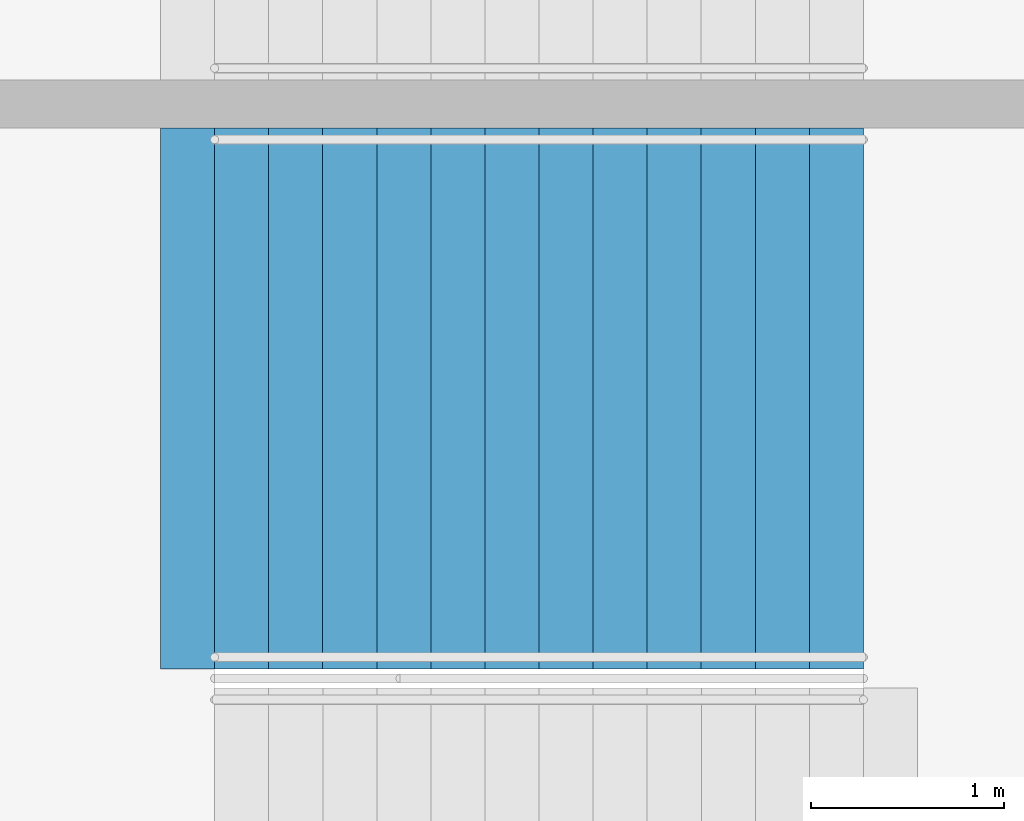
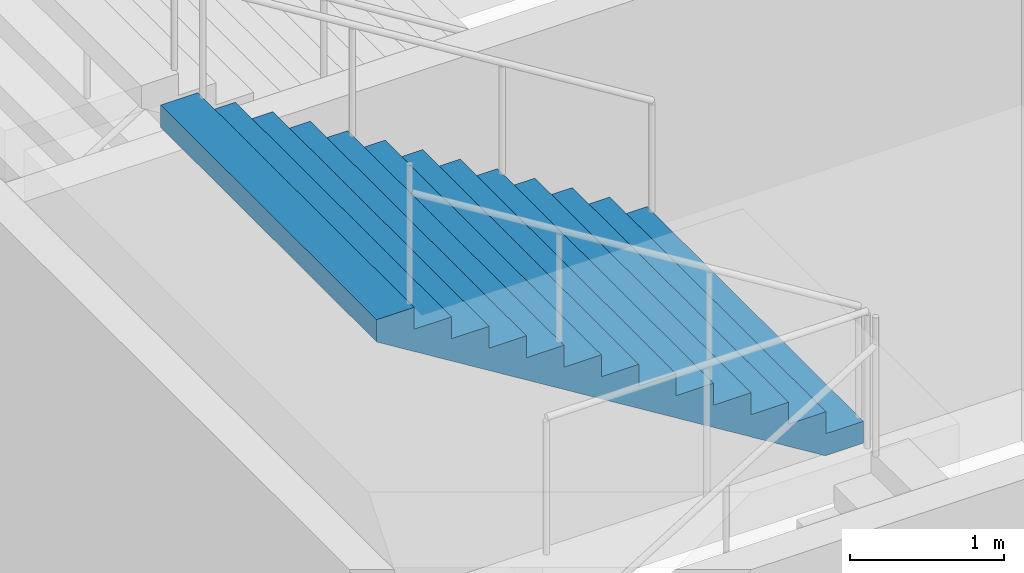
# One storey, part 100 of 175: 1 stair flight, 1 element without a shape of its own.
"""IFC4 building model written with IfcOpenShell, lengths in metres."""

import ifcopenshell
import ifcopenshell.guid

model = None  # the IFC model being written
_history = None  # IfcOwnerHistory: only IFC2X3 demands one
_inside = {}  # id of a spatial element -> (the spatial element, [elements in it])
_under = {}  # id of a project, library or spatial element -> (it, [spatial elements below it])
_declared = {}  # id of a project -> (the project, [libraries it declares])
_typed = {}  # id of a type object -> (the type object, [elements of that type])
_made_of = {}  # id of a material, layer set ... -> (it, [elements and type objects made of it])


def new_model(schema):
    """Start an empty IFC model of exactly this schema.

    Asked for "IFC4X3", IfcOpenShell would pick the latest addendum, in which some entities
    have other attributes; the version numbers below select the first issue.
    IFC2X3 requires an IfcOwnerHistory on every rooted entity: one is made here for all.
    """
    global model, _history
    if schema == "IFC4X3":
        model = ifcopenshell.file(schema_version=(4, 3, 0, 0))
    else:
        model = ifcopenshell.file(schema=schema)
    _inside.clear()
    _under.clear()
    _declared.clear()
    _typed.clear()
    _made_of.clear()
    _history = None
    if model.schema == "IFC2X3":
        org = make("IfcOrganization", Name="unknown")
        user = make(
            "IfcPersonAndOrganization",
            ThePerson=make("IfcPerson", FamilyName="unknown"),
            TheOrganization=org,
        )
        app = make(
            "IfcApplication",
            ApplicationDeveloper=org,
            Version="unknown",
            ApplicationFullName="unknown",
            ApplicationIdentifier="unknown",
        )
        _history = make(
            "IfcOwnerHistory",
            OwningUser=user,
            OwningApplication=app,
            ChangeAction="ADDED",
            CreationDate=0,
        )
    return model


def make(cls, **values):
    """One entity of the class cls with the attributes given. An attribute that is None is left unset."""
    return model.create_entity(
        cls, **{name: value for name, value in values.items() if value is not None}
    )


def rooted(cls, **values):
    """An entity with a GlobalId (a new one), such as an element, a storey or a relation."""
    return make(cls, GlobalId=ifcopenshell.guid.new(), OwnerHistory=_history, **values)


def si_unit(unit_type, name, prefix=None):
    """IfcSIUnit, for example si_unit("LENGTHUNIT", "METRE", prefix="MILLI")."""
    return make("IfcSIUnit", UnitType=unit_type, Prefix=prefix, Name=name)


def assignment(units):
    """IfcUnitAssignment: the units of a project."""
    return None if units is None else make("IfcUnitAssignment", Units=units)


def point(xyz):
    """IfcCartesianPoint."""
    return None if xyz is None else make("IfcCartesianPoint", Coordinates=xyz)


def direction(xyz):
    """IfcDirection."""
    return None if xyz is None else make("IfcDirection", DirectionRatios=xyz)


def frame(location, z_axis=None, x_axis=None):
    """IfcAxis2Placement3D, a coordinate frame: its origin and axes. An axis left out is left unset."""
    return make(
        "IfcAxis2Placement3D",
        Location=point(location),
        Axis=direction(z_axis),
        RefDirection=direction(x_axis),
    )


def origin():
    """The frame at (0, 0, 0) with its axes left unset."""
    return frame((0.0, 0.0, 0.0))


def place(relative_to, where):
    """IfcLocalPlacement: puts the frame where relative to a parent placement (None: the world)."""
    return make(
        "IfcLocalPlacement", PlacementRelTo=relative_to, RelativePlacement=where
    )


def context(
    kind, dimensions, precision=None, world=None, true_north=None, identifier=None
):
    """IfcGeometricRepresentationContext, for example the 3D "Model" context."""
    return make(
        "IfcGeometricRepresentationContext",
        ContextIdentifier=identifier,
        ContextType=kind,
        CoordinateSpaceDimension=dimensions,
        Precision=precision,
        WorldCoordinateSystem=world,
        TrueNorth=true_north,
    )


def subcontext(parent, identifier, kind, view, scale=None):
    """IfcGeometricRepresentationSubContext, for example "Body" below "Model"."""
    return make(
        "IfcGeometricRepresentationSubContext",
        ContextIdentifier=identifier,
        ContextType=kind,
        ParentContext=parent,
        TargetScale=scale,
        TargetView=view,
    )


def project(units=None, contexts=None):
    """IfcProject with its units and contexts."""
    return rooted(
        "IfcProject",
        Name="project",
        RepresentationContexts=contexts,
        UnitsInContext=assignment(units),
    )


def spatial(cls, under=None, at=None, **own):
    """A site, building, storey or space (cls), placed at a placement, below another one or the project."""
    s = rooted(cls, ObjectPlacement=at, **own)
    if under is not None:
        _under.setdefault(under.id(), (under, []))[1].append(s)
    return s


def faces_of(points, faces, orient=None, outer=None):
    """IfcFace entities. A face is a list of loops; a loop is a list of indices into points, from 0.

    orient and outer hold one flag for each loop. By default every Orientation is true, the
    first loop of a face is its IfcFaceOuterBound and the others are IfcFaceBound.
    """
    made = []
    for i, loops in enumerate(faces):
        bounds = []
        for j, loop in enumerate(loops):
            is_outer = j == 0 if outer is None else outer[i][j]
            bounds.append(
                make(
                    "IfcFaceOuterBound" if is_outer else "IfcFaceBound",
                    Bound=make("IfcPolyLoop", Polygon=[points[k] for k in loop]),
                    Orientation=True if orient is None else orient[i][j],
                )
            )
        made.append(make("IfcFace", Bounds=bounds))
    return made


def faceted_brep(points, faces, orient=None, outer=None, voids=None):
    """IfcFacetedBrep: a solid bounded by flat faces; with voids (closed shells), ...WithVoids."""
    shared = [point(p) for p in points]
    hull = make("IfcClosedShell", CfsFaces=faces_of(shared, faces, orient, outer))
    if voids is None:
        return make("IfcFacetedBrep", Outer=hull)
    return make(
        "IfcFacetedBrepWithVoids",
        Outer=hull,
        Voids=[
            make(cls, CfsFaces=faces_of(shared, fs, o, b)) for cls, fs, o, b in voids
        ],
    )


def shape(context_of_items, identifier, shape_type, items):
    """IfcShapeRepresentation: the items that make up one representation, for example the "Body"."""
    return make(
        "IfcShapeRepresentation",
        ContextOfItems=context_of_items,
        RepresentationIdentifier=identifier,
        RepresentationType=shape_type,
        Items=items,
    )


def material(Name=None, Category=None):
    """IfcMaterial."""
    return make("IfcMaterial", Name=Name, Category=Category)


def made_of(thing, what):
    """Note that an element or type object is made of a material, layer set ...; save() writes the relation."""
    if what is not None:
        _made_of.setdefault(what.id(), (what, []))[1].append(thing)
    return thing


def type_object(cls, material=None, **own):
    """A type object (cls), such as IfcWallType, which elements share."""
    return made_of(rooted(cls, **own), material)


def element(
    cls,
    number,
    at=None,
    inside=None,
    cuts=None,
    type_object=None,
    material=None,
    context=None,
    identifier="Body",
    shape_type=None,
    held_by="IfcProductDefinitionShape",
    body=None,
    shapes=None,
    **own,
):
    """One element of the class cls, such as IfcWall. Its Tag is "e" and its number.

    at: its placement. inside: the storey or other place that contains it. cuts: it is an
    opening in that element (IfcRelVoidsElement). A single representation is given by context,
    identifier, shape_type and body (its items); several are given by shapes. held_by: the class
    of the entity that holds the representations. save() writes the other relations.
    """
    e = rooted(cls, Tag="e%d" % number, ObjectPlacement=at, **own)
    if body is not None:
        shapes = [shape(context, identifier, shape_type, body)]
    if shapes is not None:
        e.Representation = make(held_by, Representations=shapes)
    if inside is not None:
        _inside.setdefault(inside.id(), (inside, []))[1].append(e)
    if cuts is not None:
        rooted(
            "IfcRelVoidsElement", RelatingBuildingElement=cuts, RelatedOpeningElement=e
        )
    if type_object is not None:
        _typed.setdefault(type_object.id(), (type_object, []))[1].append(e)
    return made_of(e, material)


def aggregate(whole, parts):
    """IfcRelAggregates: a whole, such as a stair, and the parts it consists of."""
    return rooted("IfcRelAggregates", RelatingObject=whole, RelatedObjects=parts)


def save(model, path):
    """Write the relations noted so far, then the file.

    IfcRelAggregates (storeys below a building ...), IfcRelContainedInSpatialStructure (elements
    in a storey), IfcRelDefinesByType, IfcRelAssociatesMaterial and IfcRelDeclares: one each for
    every whole, place, type object, material and project.
    """
    for whole, parts in _under.values():
        aggregate(whole, parts)
    for where, things in _inside.values():
        rooted(
            "IfcRelContainedInSpatialStructure",
            RelatedElements=things,
            RelatingStructure=where,
        )
    for kind, things in _typed.values():
        rooted("IfcRelDefinesByType", RelatedObjects=things, RelatingType=kind)
    for what, things in _made_of.values():
        rooted("IfcRelAssociatesMaterial", RelatedObjects=things, RelatingMaterial=what)
    for by, libraries in _declared.values():
        rooted("IfcRelDeclares", RelatingContext=by, RelatedDefinitions=libraries)
    model.write(path)


model = new_model("IFC4")

# Units and contexts
model_context = context("Model", 3, precision=1e-05, world=origin(), true_north=direction((0.0, 1.0)))
body_context = subcontext(model_context, "Body", "Model", "MODEL_VIEW")
ifc_project = project(units=[si_unit("LENGTHUNIT", "METRE"), si_unit("AREAUNIT", "SQUARE_METRE"), si_unit("VOLUMEUNIT", "CUBIC_METRE"), si_unit("PLANEANGLEUNIT", "RADIAN"), si_unit("MASSUNIT", "GRAM", prefix="KILO")], contexts=[model_context])

# Site, building, storey
site_placement = place(None, origin())
site = spatial("IfcSite", under=ifc_project, at=site_placement, CompositionType="ELEMENT")
building_placement = place(site_placement, origin())
building = spatial("IfcBuilding", under=site, at=building_placement, Name="Ogive Plaza Stadium", CompositionType="ELEMENT")
storey_placement = place(building_placement, origin())
storey = spatial("IfcBuildingStorey", under=building, at=storey_placement, Name="L00", CompositionType="ELEMENT", Elevation=0.0)

# Stair, stair flight
ifc_material_1 = material(Name="Concrete C40/50", Category="concrete")
stair_type = type_object("IfcStairType", Name="Exit stair", PredefinedType="STRAIGHT_RUN_STAIR", material=ifc_material_1)
stair_placement = place(storey_placement, origin())
stair = element("IfcStair", 1, at=stair_placement, inside=storey, type_object=stair_type, Name="Exit stair ST06A L00 to L01", PredefinedType="STRAIGHT_RUN_STAIR")
ifc_material_2 = material(Name="Concrete C40/50", Category="concrete")
stair_flight_type = type_object("IfcStairFlightType", Name="Exit stair flight", PredefinedType="STRAIGHT", material=ifc_material_2)
stair_flight_placement = place(storey_placement, frame((79.7099609375, -24.02490234375, 2.25), z_axis=(0.0, 0.0, 1.0), x_axis=(-1.0, 0.0, 0.0)))
stair_flight = element("IfcStairFlight", 2, at=stair_flight_placement, type_object=stair_flight_type, Name="ST06A flight 2", NumberOfRisers=13, NumberOfTreads=12, PredefinedType="STRAIGHT", RiserHeight=0.173076923, TreadLength=0.28, context=body_context, shape_type="Brep", body=[
    faceted_brep([(0.28515625, -1.39990234375, 0.0), (3.639892578125, -1.39990234375, 2.07373046875), (3.639892578125, -1.39990234375, 2.25), (3.360107421875, -1.39990234375, 2.25), (3.360107421875, -1.39990234375, 2.076904296875), (3.080078125, -1.39990234375, 2.076904296875), (3.080078125, -1.39990234375, 1.90380859375), (2.800048828125, -1.39990234375, 1.90380859375), (2.800048828125, -1.39990234375, 1.730712890625), (2.52001953125, -1.39990234375, 1.730712890625), (2.52001953125, -1.39990234375, 1.5576171875), (2.239990234375, -1.39990234375, 1.5576171875), (2.239990234375, -1.39990234375, 1.384521484375), (1.9599609375, -1.39990234375, 1.384521484375), (1.9599609375, -1.39990234375, 1.21142578125), (1.679931640625, -1.39990234375, 1.21142578125), (1.679931640625, -1.39990234375, 1.03857421875), (1.39990234375, -1.39990234375, 1.03857421875), (1.39990234375, -1.39990234375, 0.865478515625), (1.1201171875, -1.39990234375, 0.865478515625), (1.1201171875, -1.39990234375, 0.6923828125), (0.840087890625, -1.39990234375, 0.6923828125), (0.840087890625, -1.39990234375, 0.519287109375), (0.56005859375, -1.39990234375, 0.519287109375), (0.56005859375, -1.39990234375, 0.34619140625), (0.280029296875, -1.39990234375, 0.34619140625), (0.280029296875, -1.39990234375, 0.173095703125), (0.0, -1.39990234375, 0.173095703125), (0.0, -1.39990234375, 0.0), (0.0, 1.39990234375, 0.0), (0.0, 1.39990234375, 0.173095703125), (0.280029296875, 1.39990234375, 0.173095703125), (0.280029296875, 1.39990234375, 0.34619140625), (0.56005859375, 1.39990234375, 0.34619140625), (0.56005859375, 1.39990234375, 0.519287109375), (0.840087890625, 1.39990234375, 0.519287109375), (0.840087890625, 1.39990234375, 0.6923828125), (1.1201171875, 1.39990234375, 0.6923828125), (1.1201171875, 1.39990234375, 0.865478515625), (1.39990234375, 1.39990234375, 0.865478515625), (1.39990234375, 1.39990234375, 1.03857421875), (1.679931640625, 1.39990234375, 1.03857421875), (1.679931640625, 1.39990234375, 1.21142578125), (1.9599609375, 1.39990234375, 1.21142578125), (1.9599609375, 1.39990234375, 1.384521484375), (2.239990234375, 1.39990234375, 1.384521484375), (2.239990234375, 1.39990234375, 1.5576171875), (2.52001953125, 1.39990234375, 1.5576171875), (2.52001953125, 1.39990234375, 1.730712890625), (2.800048828125, 1.39990234375, 1.730712890625), (2.800048828125, 1.39990234375, 1.90380859375), (3.080078125, 1.39990234375, 1.90380859375), (3.080078125, 1.39990234375, 2.076904296875), (3.360107421875, 1.39990234375, 2.076904296875), (3.360107421875, 1.39990234375, 2.25), (3.639892578125, 1.39990234375, 2.25), (3.639892578125, 1.39990234375, 2.07373046875), (0.28515625, 1.39990234375, 0.0), (0.28515625, -1.0888671875, 0.0), (3.639892578125, -1.0888671875, 2.07373046875), (0.28515625, -0.77783203125, 0.0), (3.639892578125, -0.77783203125, 2.07373046875), (0.28515625, -0.466796875, 0.0), (3.639892578125, -0.466796875, 2.07373046875), (0.28515625, -0.155517578125, 0.0), (3.639892578125, -0.155517578125, 2.07373046875), (0.28515625, 0.155517578125, 0.0), (3.639892578125, 0.155517578125, 2.07373046875), (0.28515625, 0.466796875, 0.0), (3.639892578125, 0.466796875, 2.07373046875), (0.28515625, 0.77783203125, 0.0), (3.639892578125, 0.77783203125, 2.07373046875), (0.28515625, 1.0888671875, 0.0), (3.639892578125, 1.0888671875, 2.07373046875), (3.639892578125, -1.0888671875, 2.25), (3.639892578125, -0.77783203125, 2.25), (3.639892578125, -0.466796875, 2.25), (3.639892578125, -0.155517578125, 2.25), (3.639892578125, 0.155517578125, 2.25), (3.639892578125, 0.466796875, 2.25), (3.639892578125, 0.77783203125, 2.25), (3.639892578125, 1.0888671875, 2.25), (3.360107421875, -1.0888671875, 2.25), (3.360107421875, -0.77783203125, 2.25), (3.360107421875, -0.466796875, 2.25), (3.360107421875, -0.155517578125, 2.25), (3.360107421875, 0.155517578125, 2.25), (3.360107421875, 0.466796875, 2.25), (3.360107421875, 0.77783203125, 2.25), (3.360107421875, 1.0888671875, 2.25), (3.360107421875, -1.0888671875, 2.076904296875), (3.360107421875, -0.77783203125, 2.076904296875), (3.360107421875, -0.466796875, 2.076904296875), (3.360107421875, -0.155517578125, 2.076904296875), (3.360107421875, 0.155517578125, 2.076904296875), (3.360107421875, 0.466796875, 2.076904296875), (3.360107421875, 0.77783203125, 2.076904296875), (3.360107421875, 1.0888671875, 2.076904296875), (3.080078125, -1.0888671875, 2.076904296875), (3.080078125, -0.77783203125, 2.076904296875), (3.080078125, -0.466796875, 2.076904296875), (3.080078125, -0.155517578125, 2.076904296875), (3.080078125, 0.155517578125, 2.076904296875), (3.080078125, 0.466796875, 2.076904296875), (3.080078125, 0.77783203125, 2.076904296875), (3.080078125, 1.0888671875, 2.076904296875), (3.080078125, -1.0888671875, 1.90380859375), (3.080078125, -0.77783203125, 1.90380859375), (3.080078125, -0.466796875, 1.90380859375), (3.080078125, -0.155517578125, 1.90380859375), (3.080078125, 0.155517578125, 1.90380859375), (3.080078125, 0.466796875, 1.90380859375), (3.080078125, 0.77783203125, 1.90380859375), (3.080078125, 1.0888671875, 1.90380859375), (2.800048828125, -1.0888671875, 1.90380859375), (2.800048828125, -0.77783203125, 1.90380859375), (2.800048828125, -0.466796875, 1.90380859375), (2.800048828125, -0.155517578125, 1.90380859375), (2.800048828125, 0.155517578125, 1.90380859375), (2.800048828125, 0.466796875, 1.90380859375), (2.800048828125, 0.77783203125, 1.90380859375), (2.800048828125, 1.0888671875, 1.90380859375), (2.800048828125, -1.0888671875, 1.730712890625), (2.800048828125, -0.77783203125, 1.730712890625), (2.800048828125, -0.466796875, 1.730712890625), (2.800048828125, -0.155517578125, 1.730712890625), (2.800048828125, 0.155517578125, 1.730712890625), (2.800048828125, 0.466796875, 1.730712890625), (2.800048828125, 0.77783203125, 1.730712890625), (2.800048828125, 1.0888671875, 1.730712890625), (2.52001953125, -1.0888671875, 1.730712890625), (2.52001953125, -0.77783203125, 1.730712890625), (2.52001953125, -0.466796875, 1.730712890625), (2.52001953125, -0.155517578125, 1.730712890625), (2.52001953125, 0.155517578125, 1.730712890625), (2.52001953125, 0.466796875, 1.730712890625), (2.52001953125, 0.77783203125, 1.730712890625), (2.52001953125, 1.0888671875, 1.730712890625), (2.52001953125, -1.0888671875, 1.5576171875), (2.52001953125, -0.77783203125, 1.5576171875), (2.52001953125, -0.466796875, 1.5576171875), (2.52001953125, -0.155517578125, 1.5576171875), (2.52001953125, 0.155517578125, 1.5576171875), (2.52001953125, 0.466796875, 1.5576171875), (2.52001953125, 0.77783203125, 1.5576171875), (2.52001953125, 1.0888671875, 1.5576171875), (2.239990234375, -1.0888671875, 1.5576171875), (2.239990234375, -0.77783203125, 1.5576171875), (2.239990234375, -0.466796875, 1.5576171875), (2.239990234375, -0.155517578125, 1.5576171875), (2.239990234375, 0.155517578125, 1.5576171875), (2.239990234375, 0.466796875, 1.5576171875), (2.239990234375, 0.77783203125, 1.5576171875), (2.239990234375, 1.0888671875, 1.5576171875), (2.239990234375, -1.0888671875, 1.384521484375), (2.239990234375, -0.77783203125, 1.384521484375), (2.239990234375, -0.466796875, 1.384521484375), (2.239990234375, -0.155517578125, 1.384521484375), (2.239990234375, 0.155517578125, 1.384521484375), (2.239990234375, 0.466796875, 1.384521484375), (2.239990234375, 0.77783203125, 1.384521484375), (2.239990234375, 1.0888671875, 1.384521484375), (1.9599609375, -1.0888671875, 1.384521484375), (1.9599609375, -0.77783203125, 1.384521484375), (1.9599609375, -0.466796875, 1.384521484375), (1.9599609375, -0.155517578125, 1.384521484375), (1.9599609375, 0.155517578125, 1.384521484375), (1.9599609375, 0.466796875, 1.384521484375), (1.9599609375, 0.77783203125, 1.384521484375), (1.9599609375, 1.0888671875, 1.384521484375), (1.9599609375, -1.0888671875, 1.21142578125), (1.9599609375, -0.77783203125, 1.21142578125), (1.9599609375, -0.466796875, 1.21142578125), (1.9599609375, -0.155517578125, 1.21142578125), (1.9599609375, 0.155517578125, 1.21142578125), (1.9599609375, 0.466796875, 1.21142578125), (1.9599609375, 0.77783203125, 1.21142578125), (1.9599609375, 1.0888671875, 1.21142578125), (1.679931640625, -1.0888671875, 1.21142578125), (1.679931640625, -0.77783203125, 1.21142578125), (1.679931640625, -0.466796875, 1.21142578125), (1.679931640625, -0.155517578125, 1.21142578125), (1.679931640625, 0.155517578125, 1.21142578125), (1.679931640625, 0.466796875, 1.21142578125), (1.679931640625, 0.77783203125, 1.21142578125), (1.679931640625, 1.0888671875, 1.21142578125), (1.679931640625, -1.0888671875, 1.03857421875), (1.679931640625, -0.77783203125, 1.03857421875), (1.679931640625, -0.466796875, 1.03857421875), (1.679931640625, -0.155517578125, 1.03857421875), (1.679931640625, 0.155517578125, 1.03857421875), (1.679931640625, 0.466796875, 1.03857421875), (1.679931640625, 0.77783203125, 1.03857421875), (1.679931640625, 1.0888671875, 1.03857421875), (1.39990234375, -1.0888671875, 1.03857421875), (1.39990234375, -0.77783203125, 1.03857421875), (1.39990234375, -0.466796875, 1.03857421875), (1.39990234375, -0.155517578125, 1.03857421875), (1.39990234375, 0.155517578125, 1.03857421875), (1.39990234375, 0.466796875, 1.03857421875), (1.39990234375, 0.77783203125, 1.03857421875), (1.39990234375, 1.0888671875, 1.03857421875), (1.39990234375, -1.0888671875, 0.865478515625), (1.39990234375, -0.77783203125, 0.865478515625), (1.39990234375, -0.466796875, 0.865478515625), (1.39990234375, -0.155517578125, 0.865478515625), (1.39990234375, 0.155517578125, 0.865478515625), (1.39990234375, 0.466796875, 0.865478515625), (1.39990234375, 0.77783203125, 0.865478515625), (1.39990234375, 1.0888671875, 0.865478515625), (1.1201171875, -1.0888671875, 0.865478515625), (1.1201171875, -0.77783203125, 0.865478515625), (1.1201171875, -0.466796875, 0.865478515625), (1.1201171875, -0.155517578125, 0.865478515625), (1.1201171875, 0.155517578125, 0.865478515625), (1.1201171875, 0.466796875, 0.865478515625), (1.1201171875, 0.77783203125, 0.865478515625), (1.1201171875, 1.0888671875, 0.865478515625), (1.1201171875, -1.0888671875, 0.6923828125), (1.1201171875, -0.77783203125, 0.6923828125), (1.1201171875, -0.466796875, 0.6923828125), (1.1201171875, -0.155517578125, 0.6923828125), (1.1201171875, 0.155517578125, 0.6923828125), (1.1201171875, 0.466796875, 0.6923828125), (1.1201171875, 0.77783203125, 0.6923828125), (1.1201171875, 1.0888671875, 0.6923828125), (0.840087890625, -1.0888671875, 0.6923828125), (0.840087890625, -0.77783203125, 0.6923828125), (0.840087890625, -0.466796875, 0.6923828125), (0.840087890625, -0.155517578125, 0.6923828125), (0.840087890625, 0.155517578125, 0.6923828125), (0.840087890625, 0.466796875, 0.6923828125), (0.840087890625, 0.77783203125, 0.6923828125), (0.840087890625, 1.0888671875, 0.6923828125), (0.840087890625, -1.0888671875, 0.519287109375), (0.840087890625, -0.77783203125, 0.519287109375), (0.840087890625, -0.466796875, 0.519287109375), (0.840087890625, -0.155517578125, 0.519287109375), (0.840087890625, 0.155517578125, 0.519287109375), (0.840087890625, 0.466796875, 0.519287109375), (0.840087890625, 0.77783203125, 0.519287109375), (0.840087890625, 1.0888671875, 0.519287109375), (0.56005859375, -1.0888671875, 0.519287109375), (0.56005859375, -0.77783203125, 0.519287109375), (0.56005859375, -0.466796875, 0.519287109375), (0.56005859375, -0.155517578125, 0.519287109375), (0.56005859375, 0.155517578125, 0.519287109375), (0.56005859375, 0.466796875, 0.519287109375), (0.56005859375, 0.77783203125, 0.519287109375), (0.56005859375, 1.0888671875, 0.519287109375), (0.56005859375, -1.0888671875, 0.34619140625), (0.56005859375, -0.77783203125, 0.34619140625), (0.56005859375, -0.466796875, 0.34619140625), (0.56005859375, -0.155517578125, 0.34619140625), (0.56005859375, 0.155517578125, 0.34619140625), (0.56005859375, 0.466796875, 0.34619140625), (0.56005859375, 0.77783203125, 0.34619140625), (0.56005859375, 1.0888671875, 0.34619140625), (0.280029296875, -1.0888671875, 0.34619140625), (0.280029296875, -0.77783203125, 0.34619140625), (0.280029296875, -0.466796875, 0.34619140625), (0.280029296875, -0.155517578125, 0.34619140625), (0.280029296875, 0.155517578125, 0.34619140625), (0.280029296875, 0.466796875, 0.34619140625), (0.280029296875, 0.77783203125, 0.34619140625), (0.280029296875, 1.0888671875, 0.34619140625), (0.280029296875, -1.0888671875, 0.173095703125), (0.280029296875, -0.77783203125, 0.173095703125), (0.280029296875, -0.466796875, 0.173095703125), (0.280029296875, -0.155517578125, 0.173095703125), (0.280029296875, 0.155517578125, 0.173095703125), (0.280029296875, 0.466796875, 0.173095703125), (0.280029296875, 0.77783203125, 0.173095703125), (0.280029296875, 1.0888671875, 0.173095703125), (0.0, -1.0888671875, 0.173095703125), (0.0, -0.77783203125, 0.173095703125), (0.0, -0.466796875, 0.173095703125), (0.0, -0.155517578125, 0.173095703125), (0.0, 0.155517578125, 0.173095703125), (0.0, 0.466796875, 0.173095703125), (0.0, 0.77783203125, 0.173095703125), (0.0, 1.0888671875, 0.173095703125), (0.0, -1.0888671875, 0.0), (0.0, -0.77783203125, 0.0), (0.0, -0.466796875, 0.0), (0.0, -0.155517578125, 0.0), (0.0, 0.155517578125, 0.0), (0.0, 0.466796875, 0.0), (0.0, 0.77783203125, 0.0), (0.0, 1.0888671875, 0.0)], [[[0, 1, 2, 3, 4, 5, 6, 7, 8, 9, 10, 11, 12, 13, 14, 15, 16, 17, 18, 19, 20, 21, 22, 23, 24, 25, 26, 27, 28]], [[29, 30, 31, 32, 33, 34, 35, 36, 37, 38, 39, 40, 41, 42, 43, 44, 45, 46, 47, 48, 49, 50, 51, 52, 53, 54, 55, 56, 57]], [[0, 58, 59, 1]], [[58, 60, 61, 59]], [[60, 62, 63, 61]], [[62, 64, 65, 63]], [[64, 66, 67, 65]], [[66, 68, 69, 67]], [[68, 70, 71, 69]], [[70, 72, 73, 71]], [[72, 57, 56, 73]], [[1, 59, 74, 2]], [[59, 61, 75, 74]], [[61, 63, 76, 75]], [[63, 65, 77, 76]], [[65, 67, 78, 77]], [[67, 69, 79, 78]], [[69, 71, 80, 79]], [[71, 73, 81, 80]], [[73, 56, 55, 81]], [[2, 74, 82, 3]], [[74, 75, 83, 82]], [[75, 76, 84, 83]], [[76, 77, 85, 84]], [[77, 78, 86, 85]], [[78, 79, 87, 86]], [[79, 80, 88, 87]], [[80, 81, 89, 88]], [[81, 55, 54, 89]], [[3, 82, 90, 4]], [[82, 83, 91, 90]], [[83, 84, 92, 91]], [[84, 85, 93, 92]], [[85, 86, 94, 93]], [[86, 87, 95, 94]], [[87, 88, 96, 95]], [[88, 89, 97, 96]], [[89, 54, 53, 97]], [[4, 90, 98, 5]], [[90, 91, 99, 98]], [[91, 92, 100, 99]], [[92, 93, 101, 100]], [[93, 94, 102, 101]], [[94, 95, 103, 102]], [[95, 96, 104, 103]], [[96, 97, 105, 104]], [[97, 53, 52, 105]], [[5, 98, 106, 6]], [[98, 99, 107, 106]], [[99, 100, 108, 107]], [[100, 101, 109, 108]], [[101, 102, 110, 109]], [[102, 103, 111, 110]], [[103, 104, 112, 111]], [[104, 105, 113, 112]], [[105, 52, 51, 113]], [[6, 106, 114, 7]], [[106, 107, 115, 114]], [[107, 108, 116, 115]], [[108, 109, 117, 116]], [[109, 110, 118, 117]], [[110, 111, 119, 118]], [[111, 112, 120, 119]], [[112, 113, 121, 120]], [[113, 51, 50, 121]], [[7, 114, 122, 8]], [[114, 115, 123, 122]], [[115, 116, 124, 123]], [[116, 117, 125, 124]], [[117, 118, 126, 125]], [[118, 119, 127, 126]], [[119, 120, 128, 127]], [[120, 121, 129, 128]], [[121, 50, 49, 129]], [[8, 122, 130, 9]], [[122, 123, 131, 130]], [[123, 124, 132, 131]], [[124, 125, 133, 132]], [[125, 126, 134, 133]], [[126, 127, 135, 134]], [[127, 128, 136, 135]], [[128, 129, 137, 136]], [[129, 49, 48, 137]], [[9, 130, 138, 10]], [[130, 131, 139, 138]], [[131, 132, 140, 139]], [[132, 133, 141, 140]], [[133, 134, 142, 141]], [[134, 135, 143, 142]], [[135, 136, 144, 143]], [[136, 137, 145, 144]], [[137, 48, 47, 145]], [[10, 138, 146, 11]], [[138, 139, 147, 146]], [[139, 140, 148, 147]], [[140, 141, 149, 148]], [[141, 142, 150, 149]], [[142, 143, 151, 150]], [[143, 144, 152, 151]], [[144, 145, 153, 152]], [[145, 47, 46, 153]], [[11, 146, 154, 12]], [[146, 147, 155, 154]], [[147, 148, 156, 155]], [[148, 149, 157, 156]], [[149, 150, 158, 157]], [[150, 151, 159, 158]], [[151, 152, 160, 159]], [[152, 153, 161, 160]], [[153, 46, 45, 161]], [[12, 154, 162, 13]], [[154, 155, 163, 162]], [[155, 156, 164, 163]], [[156, 157, 165, 164]], [[157, 158, 166, 165]], [[158, 159, 167, 166]], [[159, 160, 168, 167]], [[160, 161, 169, 168]], [[161, 45, 44, 169]], [[13, 162, 170, 14]], [[162, 163, 171, 170]], [[163, 164, 172, 171]], [[164, 165, 173, 172]], [[165, 166, 174, 173]], [[166, 167, 175, 174]], [[167, 168, 176, 175]], [[168, 169, 177, 176]], [[169, 44, 43, 177]], [[14, 170, 178, 15]], [[170, 171, 179, 178]], [[171, 172, 180, 179]], [[172, 173, 181, 180]], [[173, 174, 182, 181]], [[174, 175, 183, 182]], [[175, 176, 184, 183]], [[176, 177, 185, 184]], [[177, 43, 42, 185]], [[15, 178, 186, 16]], [[178, 179, 187, 186]], [[179, 180, 188, 187]], [[180, 181, 189, 188]], [[181, 182, 190, 189]], [[182, 183, 191, 190]], [[183, 184, 192, 191]], [[184, 185, 193, 192]], [[185, 42, 41, 193]], [[16, 186, 194, 17]], [[186, 187, 195, 194]], [[187, 188, 196, 195]], [[188, 189, 197, 196]], [[189, 190, 198, 197]], [[190, 191, 199, 198]], [[191, 192, 200, 199]], [[192, 193, 201, 200]], [[193, 41, 40, 201]], [[17, 194, 202, 18]], [[194, 195, 203, 202]], [[195, 196, 204, 203]], [[196, 197, 205, 204]], [[197, 198, 206, 205]], [[198, 199, 207, 206]], [[199, 200, 208, 207]], [[200, 201, 209, 208]], [[201, 40, 39, 209]], [[18, 202, 210, 19]], [[202, 203, 211, 210]], [[203, 204, 212, 211]], [[204, 205, 213, 212]], [[205, 206, 214, 213]], [[206, 207, 215, 214]], [[207, 208, 216, 215]], [[208, 209, 217, 216]], [[209, 39, 38, 217]], [[19, 210, 218, 20]], [[210, 211, 219, 218]], [[211, 212, 220, 219]], [[212, 213, 221, 220]], [[213, 214, 222, 221]], [[214, 215, 223, 222]], [[215, 216, 224, 223]], [[216, 217, 225, 224]], [[217, 38, 37, 225]], [[20, 218, 226, 21]], [[218, 219, 227, 226]], [[219, 220, 228, 227]], [[220, 221, 229, 228]], [[221, 222, 230, 229]], [[222, 223, 231, 230]], [[223, 224, 232, 231]], [[224, 225, 233, 232]], [[225, 37, 36, 233]], [[21, 226, 234, 22]], [[226, 227, 235, 234]], [[227, 228, 236, 235]], [[228, 229, 237, 236]], [[229, 230, 238, 237]], [[230, 231, 239, 238]], [[231, 232, 240, 239]], [[232, 233, 241, 240]], [[233, 36, 35, 241]], [[22, 234, 242, 23]], [[234, 235, 243, 242]], [[235, 236, 244, 243]], [[236, 237, 245, 244]], [[237, 238, 246, 245]], [[238, 239, 247, 246]], [[239, 240, 248, 247]], [[240, 241, 249, 248]], [[241, 35, 34, 249]], [[23, 242, 250, 24]], [[242, 243, 251, 250]], [[243, 244, 252, 251]], [[244, 245, 253, 252]], [[245, 246, 254, 253]], [[246, 247, 255, 254]], [[247, 248, 256, 255]], [[248, 249, 257, 256]], [[249, 34, 33, 257]], [[24, 250, 258, 25]], [[250, 251, 259, 258]], [[251, 252, 260, 259]], [[252, 253, 261, 260]], [[253, 254, 262, 261]], [[254, 255, 263, 262]], [[255, 256, 264, 263]], [[256, 257, 265, 264]], [[257, 33, 32, 265]], [[25, 258, 266, 26]], [[258, 259, 267, 266]], [[259, 260, 268, 267]], [[260, 261, 269, 268]], [[261, 262, 270, 269]], [[262, 263, 271, 270]], [[263, 264, 272, 271]], [[264, 265, 273, 272]], [[265, 32, 31, 273]], [[26, 266, 274, 27]], [[266, 267, 275, 274]], [[267, 268, 276, 275]], [[268, 269, 277, 276]], [[269, 270, 278, 277]], [[270, 271, 279, 278]], [[271, 272, 280, 279]], [[272, 273, 281, 280]], [[273, 31, 30, 281]], [[27, 274, 282, 28]], [[274, 275, 283, 282]], [[275, 276, 284, 283]], [[276, 277, 285, 284]], [[277, 278, 286, 285]], [[278, 279, 287, 286]], [[279, 280, 288, 287]], [[280, 281, 289, 288]], [[281, 30, 29, 289]], [[28, 282, 58, 0]], [[282, 283, 60, 58]], [[283, 284, 62, 60]], [[284, 285, 64, 62]], [[285, 286, 66, 64]], [[286, 287, 68, 66]], [[287, 288, 70, 68]], [[288, 289, 72, 70]], [[289, 29, 57, 72]]]),
])
aggregate(stair, [stair_flight])

save(model, "model.ifc")
